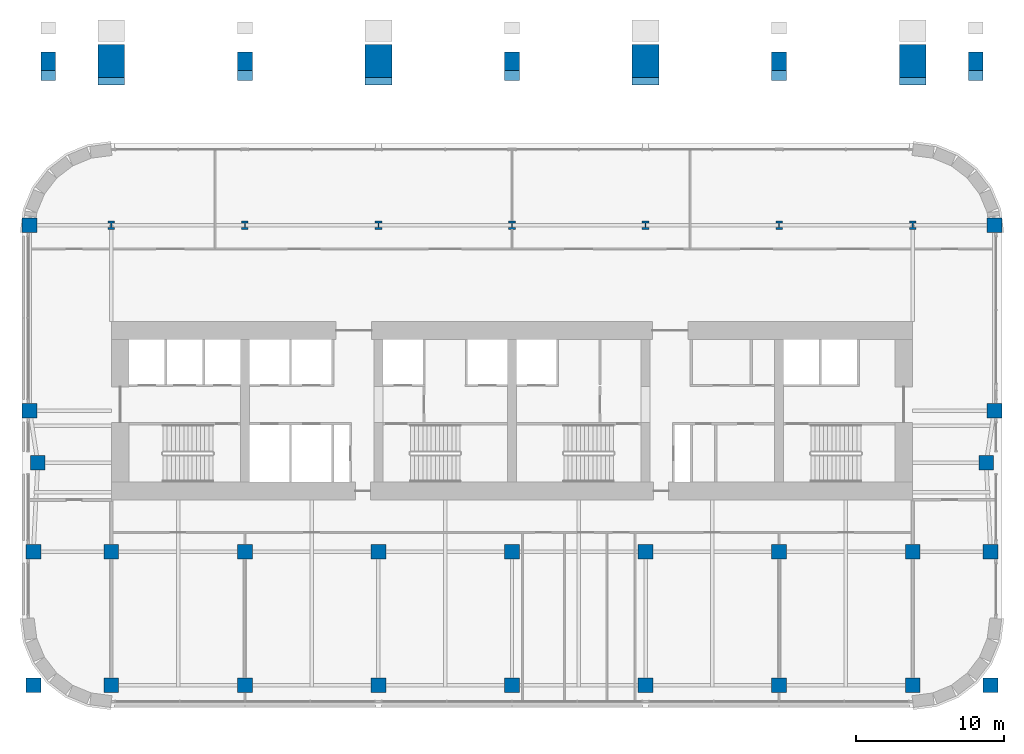
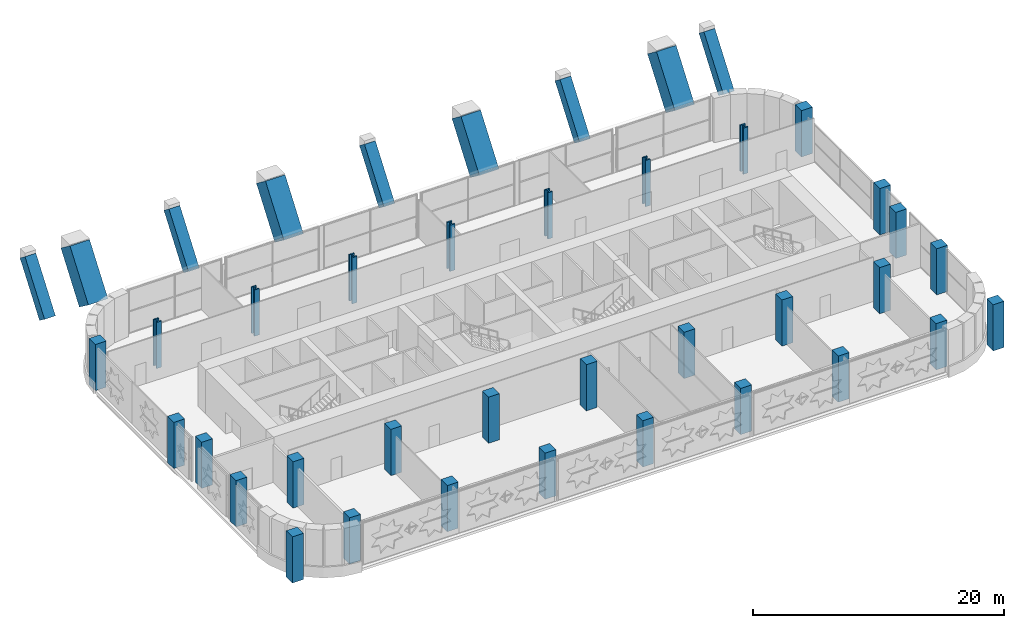
# One storey, part 1 of 24: 40 columns.
"""IFC4 building model written with IfcOpenShell, lengths in metres."""

from ifc_helpers import new_model, si_unit, direction, frame, origin, origin_2d, place, context, subcontext, project, spatial, rectangle, i_section, extrude, clip, halfspace, material, material_profile, profile_set, type_object, element, save


model = new_model("IFC4")

# Units and contexts
model_context = context("Model", 3, precision=1e-05, world=origin(), true_north=direction((0.0, 1.0)))
body_context = subcontext(model_context, "Body", "Model", "MODEL_VIEW")
ifc_project = project(units=[si_unit("LENGTHUNIT", "METRE"), si_unit("AREAUNIT", "SQUARE_METRE"), si_unit("VOLUMEUNIT", "CUBIC_METRE"), si_unit("PLANEANGLEUNIT", "RADIAN"), si_unit("MASSUNIT", "GRAM", prefix="KILO")], contexts=[model_context])

# Site, building, storey
site_placement = place(None, origin())
site = spatial("IfcSite", under=ifc_project, at=site_placement, CompositionType="ELEMENT")
building_placement = place(site_placement, origin())
building = spatial("IfcBuilding", under=site, at=building_placement, Name="Zellij Exchange Tower", CompositionType="ELEMENT")
storey_placement = place(building_placement, frame((0.0, 0.0, 48.0)))
storey = spatial("IfcBuildingStorey", under=building, at=storey_placement, Name="L08", CompositionType="ELEMENT", Elevation=48.0)

# Columns
ifc_material_1 = material(Name="Concrete C70/85", Category="concrete")
ifc_material_profile_1 = material_profile(ifc_material_1, rectangle(XDim=1.0, YDim=1.0, at=origin_2d()), Name="STR-COLUMN RC1000x1000 C70/85")
ifc_profile_set_1 = profile_set([ifc_material_profile_1], Name="Concrete C70/85")
column_type_1 = type_object("IfcColumnType", Name="STR-COLUMN RC1000x1000 C70/85", PredefinedType="COLUMN", material=ifc_profile_set_1)
for number, where, z_axis, x_axis, name in (
    (1, (-32.25, -26.5, 0.0), (0.0, 0.0, 1.0), (1.0, 0.0, 0.0), "C10"),
    (2, (-27.0, -26.5, 0.0), (0.0, 0.0, 1.0), (1.0, 0.0, 0.0), "C10"),
    (3, (-18.0, -26.5, 0.0), (0.0, 0.0, 1.0), (1.0, 0.0, 0.0), "C10"),
    (4, (-9.0, -26.5, 0.0), (0.0, 0.0, 1.0), (1.0, 0.0, 0.0), "C10"),
    (5, (0.0, -26.5, 0.0), (0.0, 0.0, 1.0), (1.0, 0.0, 0.0), "C10"),
    (6, (9.0, -26.5, 0.0), (0.0, 0.0, 1.0), (1.0, 0.0, 0.0), "C10"),
    (7, (18.0, -26.5, 0.0), (0.0, 0.0, 1.0), (1.0, 0.0, 0.0), "C10"),
    (8, (27.0, -26.5, 0.0), (0.0, 0.0, 1.0), (1.0, 0.0, 0.0), "C10"),
    (9, (32.25, -26.5, 0.0), (0.0, 0.0, 1.0), (1.0, 0.0, 0.0), "C10"),
    (10, (-32.25, -17.5, 0.0), (0.0, 0.0, 1.0), (1.0, 0.0, 0.0), "C10"),
    (11, (-27.0, -17.5, 0.0), (0.0, 0.0, 1.0), (1.0, 0.0, 0.0), "C10"),
    (12, (-18.0, -17.5, 0.0), (0.0, 0.0, 1.0), (1.0, 0.0, 0.0), "C10"),
    (13, (-9.0, -17.5, 0.0), (0.0, 0.0, 1.0), (1.0, 0.0, 0.0), "C10"),
    (14, (0.0, -17.5, 0.0), (0.0, 0.0, 1.0), (1.0, 0.0, 0.0), "C10"),
    (15, (9.0, -17.5, 0.0), (0.0, 0.0, 1.0), (1.0, 0.0, 0.0), "C10"),
    (16, (18.0, -17.5, 0.0), (0.0, 0.0, 1.0), (1.0, 0.0, 0.0), "C10"),
    (17, (27.0, -17.5, 0.0), (0.0, 0.0, 1.0), (1.0, 0.0, 0.0), "C10"),
    (18, (32.25, -17.5, 0.0), (0.0, 0.0, 1.0), (1.0, 0.0, 0.0), "C10"),
    (19, (-31.949951171875, -11.5, 0.0), (0.0, 0.0, 1.0), (1.0, 0.0, 0.0), "C10"),
    (20, (31.949951171875, -11.5, 0.0), (0.0, 0.0, 1.0), (1.0, 0.0, 0.0), "C10"),
    (21, (-32.5, -8.0, 0.0), (0.0, 0.0, 1.0), (1.0, 0.0, 0.0), "C10"),
    (22, (32.5, -8.0, 0.0), (0.0, 0.0, 1.0), (1.0, 0.0, 0.0), "C10"),
    (23, (-32.5, 4.5, 0.0), (0.0, 0.0, 1.0), (1.0, 0.0, 0.0), "C10"),
    (24, (32.5, 4.5, 0.0), (0.0, 0.0, 1.0), (1.0, 0.0, 0.0), "C10"),
):
    element("IfcColumn", number, at=place(storey_placement, frame(where, z_axis=z_axis, x_axis=x_axis)), inside=storey, type_object=column_type_1, Name=name, PredefinedType="COLUMN", context=body_context, shape_type="SweptSolid", body=[
        extrude(rectangle(XDim=1.0, YDim=1.0, at=origin_2d()), origin(), (0.0, 0.0, 1.0), 4.5),
    ])
for number, where, z_axis, x_axis, name in (
    (25, (-31.25, 14.666748046875, 0.0), (0.0, 0.595218167181, 0.80356414396), (-1.0, 0.0, 0.0), "C10"),
    (26, (-18.0, 14.666748046875, 0.0), (0.0, 0.595218167181, 0.80356414396), (-1.0, 0.0, 0.0), "C10"),
    (27, (0.0, 14.666748046875, 0.0), (0.0, 0.595218167181, 0.80356414396), (-1.0, 0.0, 0.0), "C10"),
    (28, (18.0, 14.666748046875, 0.0), (0.0, 0.595218167181, 0.80356414396), (-1.0, 0.0, 0.0), "C10"),
    (29, (31.25, 14.666748046875, 0.0), (0.0, 0.595218167181, 0.80356414396), (-1.0, 0.0, 0.0), "C10"),
):
    element("IfcColumn", number, at=place(storey_placement, frame(where, z_axis=z_axis, x_axis=x_axis)), inside=storey, type_object=column_type_1, Name=name, PredefinedType="COLUMN", context=body_context, shape_type="Clipping", body=[
        clip(extrude(rectangle(XDim=1.0, YDim=1.0, at=origin_2d()), origin(), (0.0, 0.0, 1.0), 5.60009765625), halfspace(frame((0.0, 0.0, 5.229736328125)), False)),
    ])
ifc_material_2 = material(Name="Structural steel ASTM A913 Gr 65", Category="steel")
ifc_material_profile_2 = material_profile(ifc_material_2, i_section(OverallWidth=0.45458984375, OverallDepth=0.56884765625, WebThickness=0.077880859375, FlangeThickness=0.124755859375, at=origin_2d()), Name="W14x730")
ifc_profile_set_2 = profile_set([ifc_material_profile_2], Name="Structural steel ASTM A913 Gr 65")
column_type_2 = type_object("IfcColumnType", Name="STR-COLUMN W14x730", PredefinedType="COLUMN", material=ifc_profile_set_2)
for number, where, z_axis, x_axis, name in (
    (30, (-27.0, 4.5, 0.0), (0.0, 0.0, 1.0), (1.0, 0.0, 0.0), "C7"),
    (31, (-18.0, 4.5, 0.0), (0.0, 0.0, 1.0), (1.0, 0.0, 0.0), "C7"),
    (32, (-9.0, 4.5, 0.0), (0.0, 0.0, 1.0), (1.0, 0.0, 0.0), "C7"),
    (33, (0.0, 4.5, 0.0), (0.0, 0.0, 1.0), (1.0, 0.0, 0.0), "C7"),
    (34, (9.0, 4.5, 0.0), (0.0, 0.0, 1.0), (1.0, 0.0, 0.0), "C7"),
    (35, (18.0, 4.5, 0.0), (0.0, 0.0, 1.0), (1.0, 0.0, 0.0), "C7"),
    (36, (27.0, 4.5, 0.0), (0.0, 0.0, 1.0), (1.0, 0.0, 0.0), "C7"),
):
    element("IfcColumn", number, at=place(storey_placement, frame(where, z_axis=z_axis, x_axis=x_axis)), inside=storey, type_object=column_type_2, Name=name, PredefinedType="COLUMN", context=body_context, shape_type="SweptSolid", body=[
        extrude(i_section(OverallWidth=0.45458984375, OverallDepth=0.56884765625, WebThickness=0.077880859375, FlangeThickness=0.124755859375, at=origin_2d()), origin(), (0.0, 0.0, 1.0), 4.5),
    ])
ifc_material_profile_3 = material_profile(ifc_material_1, rectangle(XDim=1.800048828125, YDim=1.800048828125, at=origin_2d()), Name="STR-MEGA COLUMN RC1800x1800 C70/85")
ifc_profile_set_3 = profile_set([ifc_material_profile_3], Name="Concrete C70/85")
column_type_3 = type_object("IfcColumnType", Name="STR-MEGA COLUMN RC1800x1800 C70/85", PredefinedType="COLUMN", material=ifc_profile_set_3)
for number, where, z_axis, x_axis, name in (
    (37, (-27.0, 14.666748046875, 0.0), (0.0, 0.595218167181, 0.80356414396), (-1.0, 0.0, 0.0), "MC7"),
    (38, (-9.0, 14.666748046875, 0.0), (0.0, 0.595218167181, 0.80356414396), (-1.0, 0.0, 0.0), "MC7"),
    (39, (9.0, 14.666748046875, 0.0), (0.0, 0.595218167181, 0.80356414396), (-1.0, 0.0, 0.0), "MC7"),
    (40, (27.0, 14.666748046875, 0.0), (0.0, 0.595218167181, 0.80356414396), (-1.0, 0.0, 0.0), "MC7"),
):
    element("IfcColumn", number, at=place(storey_placement, frame(where, z_axis=z_axis, x_axis=x_axis)), inside=storey, type_object=column_type_3, Name=name, PredefinedType="COLUMN", context=body_context, shape_type="Clipping", body=[
        clip(extrude(rectangle(XDim=1.800048828125, YDim=1.800048828125, at=origin_2d()), origin(), (0.0, 0.0, 1.0), 5.60009765625), halfspace(frame((0.0, 0.0, 4.933349609375)), False)),
    ])

save(model, "model.ifc")
